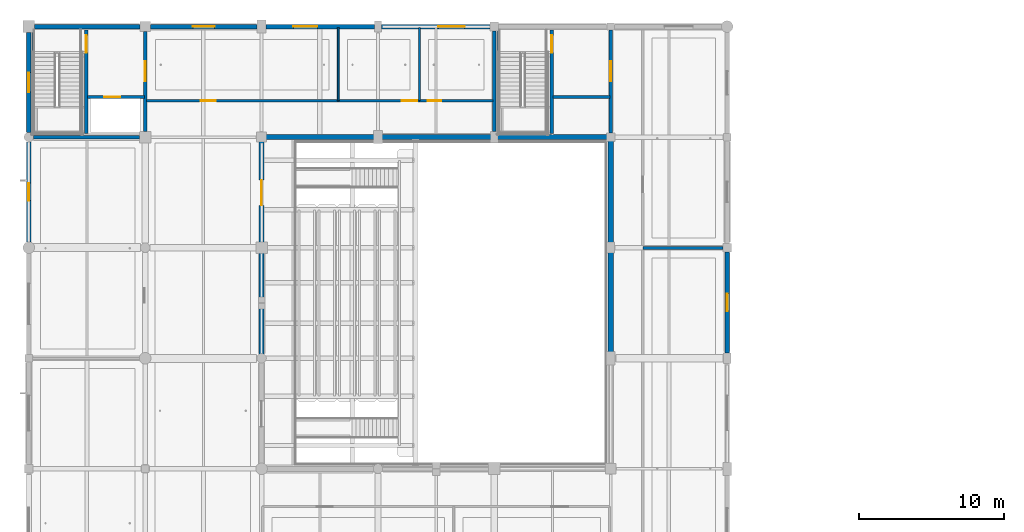
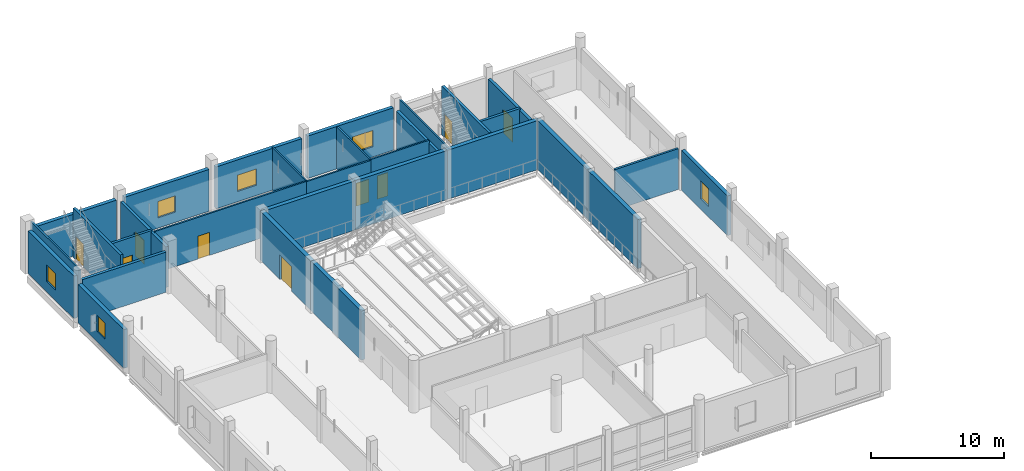
# One storey, part 90 of 147: 30 walls, 9 doors, 6 windows, 15 openings.
"""IFC4 building model written with IfcOpenShell, lengths in metres."""

from ifc_helpers import new_model, si_unit, direction, frame, frame_2d, origin, place, context, subcontext, project, spatial, rectangle, extrude, material, layer, layer_set, type_object, element, fill, save


model = new_model("IFC4")

# Units and contexts
model_context = context("Model", 3, precision=1e-05, world=origin(), true_north=direction((0.0, 1.0)))
body_context = subcontext(model_context, "Body", "Model", "MODEL_VIEW")
ifc_project = project(units=[si_unit("LENGTHUNIT", "METRE"), si_unit("AREAUNIT", "SQUARE_METRE"), si_unit("VOLUMEUNIT", "CUBIC_METRE"), si_unit("PLANEANGLEUNIT", "RADIAN"), si_unit("MASSUNIT", "GRAM", prefix="KILO")], contexts=[model_context])

# Site, building, storey
site_placement = place(None, origin())
site = spatial("IfcSite", under=ifc_project, at=site_placement, CompositionType="ELEMENT")
building_placement = place(site_placement, origin())
building = spatial("IfcBuilding", under=site, at=building_placement, Name="Khelvaren Railside Concert Hall", CompositionType="ELEMENT")
storey_placement = place(building_placement, frame((0.0, 0.0, 5.39990234375)))
storey = spatial("IfcBuildingStorey", under=building, at=storey_placement, Name="L01", CompositionType="ELEMENT", Elevation=5.39990234375)

# Walls
ifc_material_1 = material(Name="Concrete C40/50", Category="concrete")
ifc_layer_1 = layer(ifc_material_1, 0.139892578125)
ifc_layer_set_1 = layer_set([ifc_layer_1], Name="Concrete C40/50")
wall_type_1 = type_object("IfcWallType", Name="CW17", PredefinedType="SOLIDWALL", material=ifc_layer_set_1)
for number, where, z_axis, x_axis, name in (
    (1, (0.27490234375, 106.550048828125, 0.0), (0.0, 0.0, 1.0), (0.0, 1.0, 0.0), "Core Shaft Structural Liner Wall ST-07-L01"),
    (2, (32.27490234375, 106.550048828125, 0.0), (0.0, 0.0, 1.0), (0.0, 1.0, 0.0), "Core Shaft Structural Liner Wall ST-08-L01"),
):
    element("IfcWall", number, at=place(storey_placement, frame(where, z_axis=z_axis, x_axis=x_axis)), inside=storey, type_object=wall_type_1, Name=name, PredefinedType="SOLIDWALL", context=body_context, shape_type="SweptSolid", body=[
        extrude(rectangle(XDim=7.300048828125, YDim=0.139892578125, at=frame_2d((3.64990234375, 0.0))), origin(), (0.0, 0.0, 1.0), 4.510009765625),
    ])
ifc_layer_2 = layer(ifc_material_1, 0.25)
ifc_layer_set_2 = layer_set([ifc_layer_2], Name="Concrete C40/50")
wall_type_2 = type_object("IfcWallType", Name="CW82", PredefinedType="SOLIDWALL", material=ifc_layer_set_2)
wall_1_placement = place(storey_placement, frame((0.324951171875, 106.39990234375, 0.0), z_axis=(0.0, 0.0, 1.0), x_axis=(1.0, 0.0, 0.0)))
element("IfcWall", 3, at=wall_1_placement, inside=storey, type_object=wall_type_2, Name="Core Enclosure Wall CWALL-ST-07-L01-S", PredefinedType="SOLIDWALL", context=body_context, shape_type="SweptSolid", body=[
    extrude(rectangle(XDim=7.275146484375, YDim=0.25, at=frame_2d((3.6376953125, 0.0))), origin(), (0.0, 0.0, 1.0), 3.68505859375),
])

# Wall, opening, door
wall_2_placement = place(storey_placement, frame((8.0, 106.800048828125, 0.0), z_axis=(0.0, 0.0, 1.0), x_axis=(0.0, 1.0, 0.0)))
wall_2 = element("IfcWall", 4, at=wall_2_placement, inside=storey, type_object=wall_type_2, Name="Core Enclosure Wall CWALL-ST-07-L01-E", PredefinedType="SOLIDWALL", context=body_context, shape_type="SweptSolid", body=[
    extrude(rectangle(XDim=6.849853515625, YDim=0.25, at=frame_2d((3.4248046875, 0.0))), origin(), (0.0, 0.0, 1.0), 3.735107421875),
])
opening_1_placement = place(wall_2_placement, frame((3.449951171875, 0.0, 0.0)))
opening_1 = element("IfcOpeningElement", 5, at=opening_1_placement, cuts=wall_2, Name="Opening FDR34", PredefinedType="OPENING", context=body_context, shape_type="SweptSolid", body=[
    extrude(rectangle(XDim=1.35009765625, YDim=2.199951171875, at=frame_2d((0.675048828125, 1.10009765625))), frame((0.0, 0.135009765625, 0.0), z_axis=(0.0, -1.0, 0.0), x_axis=(1.0, 0.0, 0.0)), (0.0, 0.0, 1.0), 0.27001953125),
])
ifc_material_2 = material(Name="Acoustic fire-rated timber-core steel frame door", Category="steel")
door_type_1 = type_object("IfcDoorType", Name="FDR34", OperationType="NOTDEFINED", PredefinedType="DOOR", material=ifc_material_2)
door_1_placement = place(opening_1_placement, origin())
door_1 = element("IfcDoor", 6, at=door_1_placement, inside=storey, type_object=door_type_1, Name="Interior Door DR-ST-07-L01-LOB", OperationType="SINGLE_SWING_LEFT", OverallHeight=2.199951171875, OverallWidth=1.35009765625, PredefinedType="DOOR", context=body_context, shape_type="SweptSolid", body=[
    extrude(rectangle(XDim=1.35009765625, YDim=2.199951171875, at=frame_2d((0.675048828125, 1.10009765625))), frame((0.0, 0.02490234375, 0.0), z_axis=(0.0, -1.0, 0.0), x_axis=(1.0, 0.0, 0.0)), (0.0, 0.0, 1.0), 0.050048828125),
])
fill(opening_1, door_1)

# Wall
wall_3_placement = place(storey_placement, frame((32.0, 106.77490234375, 0.0), z_axis=(0.0, 0.0, 1.0), x_axis=(0.0, 1.0, 0.0)))
element("IfcWall", 7, at=wall_3_placement, inside=storey, type_object=wall_type_2, Name="Core Enclosure Wall CWALL-ST-08-L01-W", PredefinedType="SOLIDWALL", context=body_context, shape_type="SweptSolid", body=[
    extrude(rectangle(XDim=6.925048828125, YDim=0.25, at=frame_2d((3.46240234375, 0.0))), origin(), (0.0, 0.0, 1.0), 3.635009765625),
])

# Wall, opening, door
wall_4_placement = place(storey_placement, frame((40.0, 106.699951171875, 0.0), z_axis=(0.0, 0.0, 1.0), x_axis=(0.0, 1.0, 0.0)))
wall_4 = element("IfcWall", 8, at=wall_4_placement, inside=storey, type_object=wall_type_2, Name="Core Enclosure Wall CWALL-ST-08-L01-E", PredefinedType="SOLIDWALL", context=body_context, shape_type="SweptSolid", body=[
    extrude(rectangle(XDim=7.050048828125, YDim=0.25, at=frame_2d((3.52490234375, 0.0))), origin(), (0.0, 0.0, 1.0), 3.735107421875),
])
opening_2_placement = place(wall_4_placement, frame((3.550048828125, 0.0, 0.0)))
opening_2 = element("IfcOpeningElement", 9, at=opening_2_placement, cuts=wall_4, Name="Opening FDR34", PredefinedType="OPENING", context=body_context, shape_type="SweptSolid", body=[
    extrude(rectangle(XDim=1.35009765625, YDim=2.199951171875, at=frame_2d((0.675048828125, 1.10009765625))), frame((0.0, 0.135009765625, 0.0), z_axis=(0.0, -1.0, 0.0), x_axis=(1.0, 0.0, 0.0)), (0.0, 0.0, 1.0), 0.27001953125),
])
door_2_placement = place(opening_2_placement, origin())
door_2 = element("IfcDoor", 10, at=door_2_placement, inside=storey, type_object=door_type_1, Name="Interior Door DR-ST-08-L01-LOB", OperationType="SINGLE_SWING_LEFT", OverallHeight=2.199951171875, OverallWidth=1.35009765625, PredefinedType="DOOR", context=body_context, shape_type="SweptSolid", body=[
    extrude(rectangle(XDim=1.35009765625, YDim=2.199951171875, at=frame_2d((0.675048828125, 1.10009765625))), frame((0.0, 0.02490234375, 0.0), z_axis=(0.0, -1.0, 0.0), x_axis=(1.0, 0.0, 0.0)), (0.0, 0.0, 1.0), 0.050048828125),
])
fill(opening_2, door_2)

ifc_layer_3 = layer(ifc_material_1, 0.219970703125)
ifc_layer_set_3 = layer_set([ifc_layer_3], Name="Concrete C40/50")
wall_type_3 = type_object("IfcWallType", Name="CW97", PredefinedType="SOLIDWALL", material=ifc_layer_set_3)
wall_5_placement = place(storey_placement, frame((3.949951171875, 106.64990234375, 0.0), z_axis=(0.0, 0.0, 1.0), x_axis=(0.0, 1.0, 0.0)))
wall_5 = element("IfcWall", 11, at=wall_5_placement, inside=storey, type_object=wall_type_3, Name="Core Enclosure Wall CWALL-ST-07-L01-MID", PredefinedType="SOLIDWALL", context=body_context, shape_type="SweptSolid", body=[
    extrude(rectangle(XDim=7.10009765625, YDim=0.219970703125, at=frame_2d((3.550048828125, 0.0))), origin(), (0.0, 0.0, 1.0), 4.510009765625),
])
opening_3_placement = place(wall_5_placement, frame((5.550048828125, 0.0, 0.0)))
opening_3 = element("IfcOpeningElement", 12, at=opening_3_placement, cuts=wall_5, Name="Opening FDR17", PredefinedType="OPENING", context=body_context, shape_type="SweptSolid", body=[
    extrude(rectangle(XDim=1.199951171875, YDim=2.14990234375, at=frame_2d((0.60009765625, 1.074951171875))), frame((0.0, 0.119873046875, 0.0), z_axis=(0.0, -1.0, 0.0), x_axis=(1.0, 0.0, 0.0)), (0.0, 0.0, 1.0), 0.239990234375),
])
door_type_2 = type_object("IfcDoorType", Name="FDR17", OperationType="NOTDEFINED", PredefinedType="DOOR", material=ifc_material_2)
door_3_placement = place(opening_3_placement, origin())
door_3 = element("IfcDoor", 13, at=door_3_placement, inside=storey, type_object=door_type_2, Name="Interior Door DR-ST-07-L01-ST", OperationType="SINGLE_SWING_RIGHT", OverallHeight=2.14990234375, OverallWidth=1.199951171875, PredefinedType="DOOR", context=body_context, shape_type="SweptSolid", body=[
    extrude(rectangle(XDim=1.199951171875, YDim=2.14990234375, at=frame_2d((0.60009765625, 1.074951171875))), frame((0.0, 0.02490234375, 0.0), z_axis=(0.0, -1.0, 0.0), x_axis=(1.0, 0.0, 0.0)), (0.0, 0.0, 1.0), 0.050048828125),
])
fill(opening_3, door_3)

wall_6_placement = place(storey_placement, frame((4.02001953125, 109.14990234375, 0.0), z_axis=(0.0, 0.0, 1.0), x_axis=(1.0, 0.0, 0.0)))
wall_6 = element("IfcWall", 14, at=wall_6_placement, inside=storey, type_object=wall_type_3, Name="Core Enclosure Wall CWALL-ST-07-L01-SHF", PredefinedType="SOLIDWALL", context=body_context, shape_type="SweptSolid", body=[
    extrude(rectangle(XDim=3.929931640625, YDim=0.219970703125, at=frame_2d((1.96484375, 0.0))), origin(), (0.0, 0.0, 1.0), 3.860107421875),
])
opening_4_placement = place(wall_6_placement, frame((1.14990234375, 0.0, 0.0)))
opening_4 = element("IfcOpeningElement", 15, at=opening_4_placement, cuts=wall_6, Name="Opening LD-PL-05", PredefinedType="OPENING", context=body_context, shape_type="SweptSolid", body=[
    extrude(rectangle(XDim=1.10009765625, YDim=2.199951171875, at=frame_2d((0.550048828125, 1.10009765625))), frame((0.0, 0.119873046875, 0.0), z_axis=(0.0, -1.0, 0.0), x_axis=(1.0, 0.0, 0.0)), (0.0, 0.0, 1.0), 0.239990234375),
])
ifc_material_3 = material(Name="Fire-rated brushed stainless steel landing door", Category="steel")
door_type_3 = type_object("IfcDoorType", Name="LD96", OperationType="DOUBLE_DOOR_SLIDING", PredefinedType="DOOR", material=ifc_material_3)
door_4_placement = place(opening_4_placement, origin())
door_4 = element("IfcDoor", 16, at=door_4_placement, inside=storey, type_object=door_type_3, Name="Lift Landing Door LD-PL-05-L01", OperationType="DOUBLE_DOOR_SLIDING", OverallHeight=2.199951171875, OverallWidth=1.10009765625, PredefinedType="DOOR", context=body_context, shape_type="SweptSolid", body=[
    extrude(rectangle(XDim=1.10009765625, YDim=2.199951171875, at=frame_2d((0.550048828125, 1.10009765625))), frame((0.0, 0.02490234375, 0.0), z_axis=(0.0, -1.0, 0.0), x_axis=(1.0, 0.0, 0.0)), (0.0, 0.0, 1.0), 0.050048828125),
])
fill(opening_4, door_4)

wall_7_placement = place(storey_placement, frame((35.949951171875, 106.64990234375, 0.0), z_axis=(0.0, 0.0, 1.0), x_axis=(0.0, 1.0, 0.0)))
wall_7 = element("IfcWall", 17, at=wall_7_placement, inside=storey, type_object=wall_type_3, Name="Core Enclosure Wall CWALL-ST-08-L01-MID", PredefinedType="SOLIDWALL", context=body_context, shape_type="SweptSolid", body=[
    extrude(rectangle(XDim=7.10009765625, YDim=0.219970703125, at=frame_2d((3.550048828125, 0.0))), origin(), (0.0, 0.0, 1.0), 4.510009765625),
])
opening_5_placement = place(wall_7_placement, frame((5.550048828125, 0.0, 0.0)))
opening_5 = element("IfcOpeningElement", 18, at=opening_5_placement, cuts=wall_7, Name="Opening FDR17", PredefinedType="OPENING", context=body_context, shape_type="SweptSolid", body=[
    extrude(rectangle(XDim=1.199951171875, YDim=2.14990234375, at=frame_2d((0.60009765625, 1.074951171875))), frame((0.0, 0.119873046875, 0.0), z_axis=(0.0, -1.0, 0.0), x_axis=(1.0, 0.0, 0.0)), (0.0, 0.0, 1.0), 0.239990234375),
])
door_5_placement = place(opening_5_placement, origin())
door_5 = element("IfcDoor", 19, at=door_5_placement, inside=storey, type_object=door_type_2, Name="Interior Door DR-ST-08-L01-ST", OperationType="SINGLE_SWING_RIGHT", OverallHeight=2.14990234375, OverallWidth=1.199951171875, PredefinedType="DOOR", context=body_context, shape_type="SweptSolid", body=[
    extrude(rectangle(XDim=1.199951171875, YDim=2.14990234375, at=frame_2d((0.60009765625, 1.074951171875))), frame((0.0, 0.02490234375, 0.0), z_axis=(0.0, -1.0, 0.0), x_axis=(1.0, 0.0, 0.0)), (0.0, 0.0, 1.0), 0.050048828125),
])
fill(opening_5, door_5)

# Wall
wall_8_placement = place(storey_placement, frame((36.02001953125, 109.14990234375, 0.0), z_axis=(0.0, 0.0, 1.0), x_axis=(1.0, 0.0, 0.0)))
element("IfcWall", 20, at=wall_8_placement, inside=storey, type_object=wall_type_3, Name="Core Enclosure Wall CWALL-ST-08-L01-SHF", PredefinedType="SOLIDWALL", context=body_context, shape_type="SweptSolid", body=[
    extrude(rectangle(XDim=3.929931640625, YDim=0.219970703125, at=frame_2d((1.96484375, 0.0))), origin(), (0.0, 0.0, 1.0), 3.864990234375),
])

# Wall, opening, window
ifc_material_4 = material(Name="Board-marked architectural concrete C40/50", Category="concrete")
ifc_layer_4 = layer(ifc_material_4, 0.31005859375)
ifc_layer_set_4 = layer_set([ifc_layer_4], Name="Board-marked architectural concrete C40/50")
wall_type_4 = type_object("IfcWallType", Name="EW33", PredefinedType="SOLIDWALL", material=ifc_layer_set_4)
wall_9_placement = place(storey_placement, frame((0.0, 99.199951171875, 0.0), z_axis=(0.0, 0.0, 1.0), x_axis=(0.0, 1.0, 0.0)))
wall_9 = element("IfcWall", 21, at=wall_9_placement, inside=storey, type_object=wall_type_4, Name="V4 L01 Exterior Concrete Wall W-99", PredefinedType="SOLIDWALL", context=body_context, shape_type="SweptSolid", body=[
    extrude(rectangle(XDim=6.875, YDim=0.31005859375, at=frame_2d((3.4375, 0.0))), origin(), (0.0, 0.0, 1.0), 3.550048828125),
])
opening_6_placement = place(wall_9_placement, frame((2.83740234375, 0.0, 0.949951171875)))
opening_6 = element("IfcOpeningElement", 22, at=opening_6_placement, cuts=wall_9, Name="Opening WN35", PredefinedType="OPENING", context=body_context, shape_type="SweptSolid", body=[
    extrude(rectangle(XDim=1.199951171875, YDim=1.5, at=frame_2d((0.60009765625, 0.75))), frame((0.0, 0.1650390625, 0.0), z_axis=(0.0, -1.0, 0.0), x_axis=(1.0, 0.0, 0.0)), (0.0, 0.0, 1.0), 0.330078125),
])
ifc_material_5 = material(Name="Triple-glazed acoustic aluminium window", Category="aluminium")
window_type_1 = type_object("IfcWindowType", Name="WN35", PartitioningType="SINGLE_PANEL", PredefinedType="WINDOW", material=ifc_material_5)
window_1_placement = place(opening_6_placement, origin())
window_1 = element("IfcWindow", 23, at=window_1_placement, inside=storey, type_object=window_type_1, Name="Acoustic Facade Window EW-V4-L01-W-99", OverallHeight=1.5, OverallWidth=1.199951171875, PartitioningType="SINGLE_PANEL", PredefinedType="WINDOW", context=body_context, shape_type="SweptSolid", body=[
    extrude(rectangle(XDim=1.199951171875, YDim=1.5, at=frame_2d((0.60009765625, 0.75))), frame((0.0, 0.030029296875, 0.0), z_axis=(0.0, -1.0, 0.0), x_axis=(1.0, 0.0, 0.0)), (0.0, 0.0, 1.0), 0.06005859375),
])
fill(opening_6, window_1)

wall_10_placement = place(storey_placement, frame((0.0, 106.72509765625, 0.0), z_axis=(0.0, 0.0, 1.0), x_axis=(0.0, 1.0, 0.0)))
wall_10 = element("IfcWall", 24, at=wall_10_placement, inside=storey, type_object=wall_type_4, Name="V4 L01 Exterior Concrete Wall W-106", PredefinedType="SOLIDWALL", context=body_context, shape_type="SweptSolid", body=[
    extrude(rectangle(XDim=6.875, YDim=0.31005859375, at=frame_2d((3.4375, 0.0))), origin(), (0.0, 0.0, 1.0), 3.900146484375),
])
opening_7_placement = place(wall_10_placement, frame((2.762451171875, 0.0, 0.949951171875)))
opening_7 = element("IfcOpeningElement", 25, at=opening_7_placement, cuts=wall_10, Name="Opening WN88", PredefinedType="OPENING", context=body_context, shape_type="SweptSolid", body=[
    extrude(rectangle(XDim=1.35009765625, YDim=1.5, at=frame_2d((0.675048828125, 0.75))), frame((0.0, 0.1650390625, 0.0), z_axis=(0.0, -1.0, 0.0), x_axis=(1.0, 0.0, 0.0)), (0.0, 0.0, 1.0), 0.330078125),
])
window_type_2 = type_object("IfcWindowType", Name="WN88", PartitioningType="SINGLE_PANEL", PredefinedType="WINDOW", material=ifc_material_5)
window_2_placement = place(opening_7_placement, origin())
window_2 = element("IfcWindow", 26, at=window_2_placement, inside=storey, type_object=window_type_2, Name="Acoustic Facade Window EW-V4-L01-W-106", OverallHeight=1.5, OverallWidth=1.35009765625, PartitioningType="SINGLE_PANEL", PredefinedType="WINDOW", context=body_context, shape_type="SweptSolid", body=[
    extrude(rectangle(XDim=1.35009765625, YDim=1.5, at=frame_2d((0.675048828125, 0.75))), frame((0.0, 0.030029296875, 0.0), z_axis=(0.0, -1.0, 0.0), x_axis=(1.0, 0.0, 0.0)), (0.0, 0.0, 1.0), 0.06005859375),
])
fill(opening_7, window_2)

# Wall
wall_11_placement = place(storey_placement, frame((0.39990234375, 114.0, 0.0), z_axis=(0.0, 0.0, 1.0), x_axis=(1.0, 0.0, 0.0)))
element("IfcWall", 27, at=wall_11_placement, inside=storey, type_object=wall_type_4, Name="V4 L01 Exterior Concrete Wall N-0", PredefinedType="SOLIDWALL", context=body_context, shape_type="SweptSolid", body=[
    extrude(rectangle(XDim=7.25, YDim=0.31005859375, at=frame_2d((3.625, 0.0))), origin(), (0.0, 0.0, 1.0), 3.85009765625),
])

# Wall, opening, window
wall_12_placement = place(storey_placement, frame((8.35009765625, 114.0, 0.0), z_axis=(0.0, 0.0, 1.0), x_axis=(1.0, 0.0, 0.0)))
wall_12 = element("IfcWall", 28, at=wall_12_placement, inside=storey, type_object=wall_type_4, Name="V4 L01 Exterior Concrete Wall N-8", PredefinedType="SOLIDWALL", context=body_context, shape_type="SweptSolid", body=[
    extrude(rectangle(XDim=7.349853515625, YDim=0.31005859375, at=frame_2d((3.6748046875, 0.0))), origin(), (0.0, 0.0, 1.0), 3.85009765625),
])
opening_8_placement = place(wall_12_placement, frame((2.925048828125, 0.0, 0.949951171875)))
opening_8 = element("IfcOpeningElement", 29, at=opening_8_placement, cuts=wall_12, Name="Opening WN83", PredefinedType="OPENING", context=body_context, shape_type="SweptSolid", body=[
    extrude(rectangle(XDim=1.5, YDim=1.5, at=frame_2d((0.75, 0.75))), frame((0.0, 0.1650390625, 0.0), z_axis=(0.0, -1.0, 0.0), x_axis=(1.0, 0.0, 0.0)), (0.0, 0.0, 1.0), 0.330078125),
])
window_type_3 = type_object("IfcWindowType", Name="WN83", PartitioningType="SINGLE_PANEL", PredefinedType="WINDOW", material=ifc_material_5)
window_3_placement = place(opening_8_placement, origin())
window_3 = element("IfcWindow", 30, at=window_3_placement, inside=storey, type_object=window_type_3, Name="Acoustic Facade Window EW-V4-L01-N-8", OverallHeight=1.5, OverallWidth=1.5, PartitioningType="SINGLE_PANEL", PredefinedType="WINDOW", context=body_context, shape_type="SweptSolid", body=[
    extrude(rectangle(XDim=1.5, YDim=1.5, at=frame_2d((0.75, 0.75))), frame((0.0, 0.030029296875, 0.0), z_axis=(0.0, -1.0, 0.0), x_axis=(1.0, 0.0, 0.0)), (0.0, 0.0, 1.0), 0.06005859375),
])
fill(opening_8, window_3)

wall_13_placement = place(storey_placement, frame((16.300048828125, 114.0, 0.0), z_axis=(0.0, 0.0, 1.0), x_axis=(1.0, 0.0, 0.0)))
wall_13 = element("IfcWall", 31, at=wall_13_placement, inside=storey, type_object=wall_type_4, Name="V4 L01 Exterior Concrete Wall N-16", PredefinedType="SOLIDWALL", context=body_context, shape_type="SweptSolid", body=[
    extrude(rectangle(XDim=7.449951171875, YDim=0.31005859375, at=frame_2d((3.72509765625, 0.0))), origin(), (0.0, 0.0, 1.0), 3.85009765625),
])
opening_9_placement = place(wall_13_placement, frame((1.884033203125, 0.0, 0.949951171875)))
opening_9 = element("IfcOpeningElement", 32, at=opening_9_placement, cuts=wall_13, Name="Opening WN55", PredefinedType="OPENING", context=body_context, shape_type="SweptSolid", body=[
    extrude(rectangle(XDim=1.64990234375, YDim=1.5, at=frame_2d((0.824951171875, 0.75))), frame((0.0, 0.1650390625, 0.0), z_axis=(0.0, -1.0, 0.0), x_axis=(1.0, 0.0, 0.0)), (0.0, 0.0, 1.0), 0.330078125),
])
window_type_4 = type_object("IfcWindowType", Name="WN55", PartitioningType="SINGLE_PANEL", PredefinedType="WINDOW", material=ifc_material_5)
window_4_placement = place(opening_9_placement, origin())
window_4 = element("IfcWindow", 33, at=window_4_placement, inside=storey, type_object=window_type_4, Name="Acoustic Facade Window EW-V4-L01-N-16", OverallHeight=1.5, OverallWidth=1.64990234375, PartitioningType="SINGLE_PANEL", PredefinedType="WINDOW", context=body_context, shape_type="SweptSolid", body=[
    extrude(rectangle(XDim=1.64990234375, YDim=1.5, at=frame_2d((0.824951171875, 0.75))), frame((0.0, 0.030029296875, 0.0), z_axis=(0.0, -1.0, 0.0), x_axis=(1.0, 0.0, 0.0)), (0.0, 0.0, 1.0), 0.06005859375),
])
fill(opening_9, window_4)

wall_14_placement = place(storey_placement, frame((24.25, 114.0, 0.0), z_axis=(0.0, 0.0, 1.0), x_axis=(1.0, 0.0, 0.0)))
wall_14 = element("IfcWall", 34, at=wall_14_placement, inside=storey, type_object=wall_type_4, Name="V4 L01 Exterior Concrete Wall N-24", PredefinedType="SOLIDWALL", context=body_context, shape_type="SweptSolid", body=[
    extrude(rectangle(XDim=7.449951171875, YDim=0.31005859375, at=frame_2d((3.72509765625, 0.0))), origin(), (0.0, 0.0, 1.0), 3.900146484375),
])
opening_10_placement = place(wall_14_placement, frame((3.89892578125, 0.0, 0.949951171875)))
opening_10 = element("IfcOpeningElement", 35, at=opening_10_placement, cuts=wall_14, Name="Opening WN56", PredefinedType="OPENING", context=body_context, shape_type="SweptSolid", body=[
    extrude(rectangle(XDim=1.800048828125, YDim=1.5, at=frame_2d((0.89990234375, 0.75))), frame((0.0, 0.1650390625, 0.0), z_axis=(0.0, -1.0, 0.0), x_axis=(1.0, 0.0, 0.0)), (0.0, 0.0, 1.0), 0.330078125),
])
window_type_5 = type_object("IfcWindowType", Name="WN56", PartitioningType="DOUBLE_PANEL_VERTICAL", PredefinedType="WINDOW", material=ifc_material_5)
window_5_placement = place(opening_10_placement, origin())
window_5 = element("IfcWindow", 36, at=window_5_placement, inside=storey, type_object=window_type_5, Name="Acoustic Facade Window EW-V4-L01-N-24", OverallHeight=1.5, OverallWidth=1.800048828125, PartitioningType="DOUBLE_PANEL_VERTICAL", PredefinedType="WINDOW", context=body_context, shape_type="SweptSolid", body=[
    extrude(rectangle(XDim=1.800048828125, YDim=1.5, at=frame_2d((0.89990234375, 0.75))), frame((0.0, 0.030029296875, 0.0), z_axis=(0.0, -1.0, 0.0), x_axis=(1.0, 0.0, 0.0)), (0.0, 0.0, 1.0), 0.06005859375),
])
fill(opening_10, window_5)

wall_15_placement = place(storey_placement, frame((48.0, 98.5, 0.0), z_axis=(0.0, 0.0, 1.0), x_axis=(0.0, -1.0, 0.0)))
wall_15 = element("IfcWall", 37, at=wall_15_placement, inside=storey, type_object=wall_type_4, Name="V4 L01 Exterior Concrete Wall E-91", PredefinedType="SOLIDWALL", context=body_context, shape_type="SweptSolid", body=[
    extrude(rectangle(XDim=6.925048828125, YDim=0.31005859375, at=frame_2d((3.46240234375, 0.0))), origin(), (0.0, 0.0, 1.0), 3.650146484375),
])
opening_11_placement = place(wall_15_placement, frame((2.862548828125, 0.0, 0.949951171875)))
opening_11 = element("IfcOpeningElement", 38, at=opening_11_placement, cuts=wall_15, Name="Opening WN89", PredefinedType="OPENING", context=body_context, shape_type="SweptSolid", body=[
    extrude(rectangle(XDim=1.199951171875, YDim=1.64990234375, at=frame_2d((0.60009765625, 0.824951171875))), frame((0.0, 0.1650390625, 0.0), z_axis=(0.0, -1.0, 0.0), x_axis=(1.0, 0.0, 0.0)), (0.0, 0.0, 1.0), 0.330078125),
])
window_type_6 = type_object("IfcWindowType", Name="WN89", PartitioningType="SINGLE_PANEL", PredefinedType="WINDOW", material=ifc_material_5)
window_6_placement = place(opening_11_placement, origin())
window_6 = element("IfcWindow", 39, at=window_6_placement, inside=storey, type_object=window_type_6, Name="Acoustic Facade Window EW-V4-L01-E-91", OverallHeight=1.64990234375, OverallWidth=1.199951171875, PartitioningType="SINGLE_PANEL", PredefinedType="WINDOW", context=body_context, shape_type="SweptSolid", body=[
    extrude(rectangle(XDim=1.199951171875, YDim=1.64990234375, at=frame_2d((0.60009765625, 0.824951171875))), frame((0.0, 0.030029296875, 0.0), z_axis=(0.0, -1.0, 0.0), x_axis=(1.0, 0.0, 0.0)), (0.0, 0.0, 1.0), 0.06005859375),
])
fill(opening_11, window_6)

# Walls
ifc_material_6 = material(Name="Acoustic double-stud gypsum partition", Category="gypsum")
ifc_layer_5 = layer(ifc_material_6, 0.139892578125)
ifc_layer_set_5 = layer_set([ifc_layer_5], Name="Acoustic double-stud gypsum partition")
wall_type_5 = type_object("IfcWallType", Name="PT41", PredefinedType="PARTITIONING", material=ifc_layer_set_5)
wall_16_placement = place(storey_placement, frame((26.847900390625, 108.89990234375, 0.0), z_axis=(0.0, 0.0, 1.0), x_axis=(0.0, 1.0, 0.0)))
element("IfcWall", 40, at=wall_16_placement, inside=storey, type_object=wall_type_5, Name="Acoustic Partition Wall PW-V4-L01-NB-D02", PredefinedType="PARTITIONING", context=body_context, shape_type="SweptSolid", body=[
    extrude(rectangle(XDim=5.02001953125, YDim=0.139892578125, at=frame_2d((2.510009765625, 0.0))), origin(), (0.0, 0.0, 1.0), 3.880126953125),
])
ifc_layer_6 = layer(ifc_material_6, 0.179931640625)
ifc_layer_set_6 = layer_set([ifc_layer_6], Name="Acoustic double-stud gypsum partition")
wall_type_6 = type_object("IfcWallType", Name="PT53", PredefinedType="PARTITIONING", material=ifc_layer_set_6)
wall_17_placement = place(storey_placement, frame((42.199951171875, 98.780029296875, 0.0), z_axis=(0.0, 0.0, 1.0), x_axis=(1.0, 0.0, 0.0)))
element("IfcWall", 41, at=wall_17_placement, inside=storey, type_object=wall_type_6, Name="Acoustic Partition Wall PW-V4-L01-EB-D01", PredefinedType="PARTITIONING", context=body_context, shape_type="SweptSolid", body=[
    extrude(rectangle(XDim=5.5, YDim=0.179931640625, at=frame_2d((2.75, 0.0))), origin(), (0.0, 0.0, 1.0), 3.735107421875),
])

# Wall, opening, door
ifc_layer_7 = layer(ifc_material_6, 0.139892578125)
ifc_layer_set_7 = layer_set([ifc_layer_7], Name="Acoustic double-stud gypsum partition")
wall_type_7 = type_object("IfcWallType", Name="PT55", PredefinedType="PARTITIONING", material=ifc_layer_set_7)
wall_18_placement = place(storey_placement, frame((8.080078125, 108.89990234375, 0.0), z_axis=(0.0, 0.0, 1.0), x_axis=(1.0, 0.0, 0.0)))
wall_18 = element("IfcWall", 42, at=wall_18_placement, inside=storey, type_object=wall_type_7, Name="Acoustic Partition Wall PW-V4-L01-NB-C01", PredefinedType="PARTITIONING", context=body_context, shape_type="SweptSolid", body=[
    extrude(rectangle(XDim=13.18798828125, YDim=0.139892578125, at=frame_2d((6.593994140625, 0.0))), origin(), (0.0, 0.0, 1.0), 3.835205078125),
])
opening_12_placement = place(wall_18_placement, frame((3.744384765625, 0.0, 0.0)))
opening_12 = element("IfcOpeningElement", 43, at=opening_12_placement, cuts=wall_18, Name="Opening IDR87", PredefinedType="OPENING", context=body_context, shape_type="SweptSolid", body=[
    extrude(rectangle(XDim=1.02001953125, YDim=2.10009765625, at=frame_2d((0.510009765625, 1.050048828125))), frame((0.0, 0.079833984375, 0.0), z_axis=(0.0, -1.0, 0.0), x_axis=(1.0, 0.0, 0.0)), (0.0, 0.0, 1.0), 0.159912109375),
])
ifc_material_7 = material(Name="Solid oak acoustic studio door", Category="wood")
door_type_4 = type_object("IfcDoorType", Name="IDR87", OperationType="NOTDEFINED", PredefinedType="DOOR", material=ifc_material_7)
door_6_placement = place(opening_12_placement, origin())
door_6 = element("IfcDoor", 44, at=door_6_placement, inside=storey, type_object=door_type_4, Name="Interior Door DR-V4-L01-NB-01", OperationType="SINGLE_SWING_RIGHT", OverallHeight=2.10009765625, OverallWidth=1.02001953125, PredefinedType="DOOR", context=body_context, shape_type="SweptSolid", body=[
    extrude(rectangle(XDim=1.02001953125, YDim=2.10009765625, at=frame_2d((0.510009765625, 1.050048828125))), frame((0.0, 0.02490234375, 0.0), z_axis=(0.0, -1.0, 0.0), x_axis=(1.0, 0.0, 0.0)), (0.0, 0.0, 1.0), 0.050048828125),
])
fill(opening_12, door_6)

wall_19_placement = place(storey_placement, frame((21.26806640625, 108.89990234375, 0.0), z_axis=(0.0, 0.0, 1.0), x_axis=(1.0, 0.0, 0.0)))
wall_19 = element("IfcWall", 45, at=wall_19_placement, inside=storey, type_object=wall_type_7, Name="Acoustic Partition Wall PW-V4-L01-NB-C02", PredefinedType="PARTITIONING", context=body_context, shape_type="SweptSolid", body=[
    extrude(rectangle(XDim=5.579833984375, YDim=0.139892578125, at=frame_2d((2.7900390625, 0.0))), origin(), (0.0, 0.0, 1.0), 3.81005859375),
])
opening_13_placement = place(wall_19_placement, frame((4.360107421875, 0.0, 0.0)))
opening_13 = element("IfcOpeningElement", 46, at=opening_13_placement, cuts=wall_19, Name="Opening IDR70", PredefinedType="OPENING", context=body_context, shape_type="SweptSolid", body=[
    extrude(rectangle(XDim=1.080078125, YDim=2.10009765625, at=frame_2d((0.5400390625, 1.050048828125))), frame((0.0, 0.079833984375, 0.0), z_axis=(0.0, -1.0, 0.0), x_axis=(1.0, 0.0, 0.0)), (0.0, 0.0, 1.0), 0.159912109375),
])
door_type_5 = type_object("IfcDoorType", Name="IDR70", OperationType="NOTDEFINED", PredefinedType="DOOR", material=ifc_material_7)
door_7_placement = place(opening_13_placement, origin())
door_7 = element("IfcDoor", 47, at=door_7_placement, inside=storey, type_object=door_type_5, Name="Interior Door DR-V4-L01-NB-02", OperationType="SINGLE_SWING_LEFT", OverallHeight=2.10009765625, OverallWidth=1.080078125, PredefinedType="DOOR", context=body_context, shape_type="SweptSolid", body=[
    extrude(rectangle(XDim=1.080078125, YDim=2.10009765625, at=frame_2d((0.5400390625, 1.050048828125))), frame((0.0, 0.02490234375, 0.0), z_axis=(0.0, -1.0, 0.0), x_axis=(1.0, 0.0, 0.0)), (0.0, 0.0, 1.0), 0.050048828125),
])
fill(opening_13, door_7)

wall_20_placement = place(storey_placement, frame((26.847900390625, 108.89990234375, 0.0), z_axis=(0.0, 0.0, 1.0), x_axis=(1.0, 0.0, 0.0)))
wall_20 = element("IfcWall", 48, at=wall_20_placement, inside=storey, type_object=wall_type_7, Name="Acoustic Partition Wall PW-V4-L01-NB-C03", PredefinedType="PARTITIONING", context=body_context, shape_type="SweptSolid", body=[
    extrude(rectangle(XDim=5.072021484375, YDim=0.139892578125, at=frame_2d((2.5361328125, 0.0))), origin(), (0.0, 0.0, 1.0), 3.885009765625),
])
opening_14_placement = place(wall_20_placement, frame((0.583251953125, 0.0, 0.0)))
opening_14 = element("IfcOpeningElement", 49, at=opening_14_placement, cuts=wall_20, Name="Opening IDR15", PredefinedType="OPENING", context=body_context, shape_type="SweptSolid", body=[
    extrude(rectangle(XDim=0.919921875, YDim=2.14990234375, at=frame_2d((0.4599609375, 1.074951171875))), frame((0.0, 0.079833984375, 0.0), z_axis=(0.0, -1.0, 0.0), x_axis=(1.0, 0.0, 0.0)), (0.0, 0.0, 1.0), 0.159912109375),
])
door_type_6 = type_object("IfcDoorType", Name="IDR15", OperationType="NOTDEFINED", PredefinedType="DOOR", material=ifc_material_7)
door_8_placement = place(opening_14_placement, origin())
door_8 = element("IfcDoor", 50, at=door_8_placement, inside=storey, type_object=door_type_6, Name="Interior Door DR-V4-L01-NB-03", OperationType="SINGLE_SWING_RIGHT", OverallHeight=2.14990234375, OverallWidth=0.919921875, PredefinedType="DOOR", context=body_context, shape_type="SweptSolid", body=[
    extrude(rectangle(XDim=0.919921875, YDim=2.14990234375, at=frame_2d((0.4599609375, 1.074951171875))), frame((0.0, 0.02490234375, 0.0), z_axis=(0.0, -1.0, 0.0), x_axis=(1.0, 0.0, 0.0)), (0.0, 0.0, 1.0), 0.050048828125),
])
fill(opening_14, door_8)

# Walls
ifc_layer_8 = layer(ifc_material_6, 0.1201171875)
ifc_layer_set_8 = layer_set([ifc_layer_8], Name="Acoustic double-stud gypsum partition")
wall_type_8 = type_object("IfcWallType", Name="PT74", PredefinedType="PARTITIONING", material=ifc_layer_set_8)
wall_21_placement = place(storey_placement, frame((21.26806640625, 108.89990234375, 0.0), z_axis=(0.0, 0.0, 1.0), x_axis=(0.0, 1.0, 0.0)))
element("IfcWall", 51, at=wall_21_placement, inside=storey, type_object=wall_type_8, Name="Acoustic Partition Wall PW-V4-L01-NB-D01", PredefinedType="PARTITIONING", context=body_context, shape_type="SweptSolid", body=[
    extrude(rectangle(XDim=5.02001953125, YDim=0.1201171875, at=frame_2d((2.510009765625, 0.0))), origin(), (0.0, 0.0, 1.0), 3.905029296875),
])
ifc_layer_9 = layer(ifc_material_1, 0.35009765625)
ifc_layer_set_9 = layer_set([ifc_layer_9], Name="Concrete C40/50")
wall_type_9 = type_object("IfcWallType", Name="SW91", PredefinedType="SHEAR", material=ifc_layer_set_9)
for number, where, z_axis, x_axis, name in (
    (52, (16.0, 106.39990234375, 0.0), (0.0, 0.0, 1.0), (1.0, 0.0, 0.0), "V4 Chamber Box Shear Wall L01 N1"),
    (53, (24.0, 106.39990234375, 0.0), (0.0, 0.0, 1.0), (1.0, 0.0, 0.0), "V4 Chamber Box Shear Wall L01 N2"),
    (54, (32.0, 106.39990234375, 0.0), (0.0, 0.0, 1.0), (1.0, 0.0, 0.0), "V4 Chamber Box Shear Wall L01 N3"),
):
    element("IfcWall", number, at=place(storey_placement, frame(where, z_axis=z_axis, x_axis=x_axis)), inside=storey, type_object=wall_type_9, Name=name, PredefinedType="SHEAR", context=body_context, shape_type="SweptSolid", body=[
        extrude(rectangle(XDim=8.0, YDim=0.35009765625, at=frame_2d((4.0, 0.0))), origin(), (0.0, 0.0, 1.0), 4.510009765625),
    ])
wall_22_placement = place(storey_placement, frame((16.0, 91.199951171875, 0.0), z_axis=(0.0, 0.0, 1.0), x_axis=(0.0, 1.0, 0.0)))
element("IfcWall", 55, at=wall_22_placement, inside=storey, type_object=wall_type_9, Name="V4 Chamber Box Shear Wall L01 W2", PredefinedType="SHEAR", context=body_context, shape_type="SweptSolid", body=[
    extrude(rectangle(XDim=7.60009765625, YDim=0.35009765625, at=frame_2d((3.800048828125, 0.0))), origin(), (0.0, 0.0, 1.0), 4.510009765625),
])

# Wall, opening, door
wall_23_placement = place(storey_placement, frame((16.0, 98.800048828125, 0.0), z_axis=(0.0, 0.0, 1.0), x_axis=(0.0, 1.0, 0.0)))
wall_23 = element("IfcWall", 56, at=wall_23_placement, inside=storey, type_object=wall_type_9, Name="V4 Chamber Box Shear Wall L01 W3", PredefinedType="SHEAR", context=body_context, shape_type="SweptSolid", body=[
    extrude(rectangle(XDim=7.599853515625, YDim=0.35009765625, at=frame_2d((3.7998046875, 0.0))), origin(), (0.0, 0.0, 1.0), 4.510009765625),
])
opening_15_placement = place(wall_23_placement, frame((2.89990234375, 0.0, 0.0)))
opening_15 = element("IfcOpeningElement", 57, at=opening_15_placement, cuts=wall_23, Name="Opening ADR83", PredefinedType="OPENING", context=body_context, shape_type="SweptSolid", body=[
    extrude(rectangle(XDim=1.75, YDim=2.25, at=frame_2d((0.875, 1.125))), frame((0.0, 0.18505859375, 0.0), z_axis=(0.0, -1.0, 0.0), x_axis=(1.0, 0.0, 0.0)), (0.0, 0.0, 1.0), 0.3701171875),
])
ifc_material_8 = material(Name="Heavy acoustic double sound-lock fire door", Category="wood")
door_type_7 = type_object("IfcDoorType", Name="ADR83", OperationType="DOUBLE_DOOR_SINGLE_SWING", PredefinedType="DOOR", material=ifc_material_8)
door_9_placement = place(opening_15_placement, origin())
door_9 = element("IfcDoor", 58, at=door_9_placement, inside=storey, type_object=door_type_7, Name="Chamber Music Hall Acoustic Sound-Lock Door L01-W3", OperationType="DOUBLE_DOOR_SINGLE_SWING", OverallHeight=2.25, OverallWidth=1.75, PredefinedType="DOOR", context=body_context, shape_type="SweptSolid", body=[
    extrude(rectangle(XDim=1.75, YDim=2.25, at=frame_2d((0.875, 1.125))), frame((0.0, 0.02490234375, 0.0), z_axis=(0.0, -1.0, 0.0), x_axis=(1.0, 0.0, 0.0)), (0.0, 0.0, 1.0), 0.050048828125),
])
fill(opening_15, door_9)

# Walls
wall_24_placement = place(storey_placement, frame((40.0, 91.199951171875, 0.0), z_axis=(0.0, 0.0, 1.0), x_axis=(0.0, 1.0, 0.0)))
element("IfcWall", 59, at=wall_24_placement, inside=storey, type_object=wall_type_9, Name="V4 Chamber Box Shear Wall L01 E2", PredefinedType="SHEAR", context=body_context, shape_type="SweptSolid", body=[
    extrude(rectangle(XDim=7.60009765625, YDim=0.35009765625, at=frame_2d((3.800048828125, 0.0))), origin(), (0.0, 0.0, 1.0), 4.510009765625),
])
wall_25_placement = place(storey_placement, frame((40.0, 98.800048828125, 0.0), z_axis=(0.0, 0.0, 1.0), x_axis=(0.0, 1.0, 0.0)))
element("IfcWall", 60, at=wall_25_placement, inside=storey, type_object=wall_type_9, Name="V4 Chamber Box Shear Wall L01 E3", PredefinedType="SHEAR", context=body_context, shape_type="SweptSolid", body=[
    extrude(rectangle(XDim=7.599853515625, YDim=0.35009765625, at=frame_2d((3.7998046875, 0.0))), origin(), (0.0, 0.0, 1.0), 4.510009765625),
])

save(model, "model.ifc")
